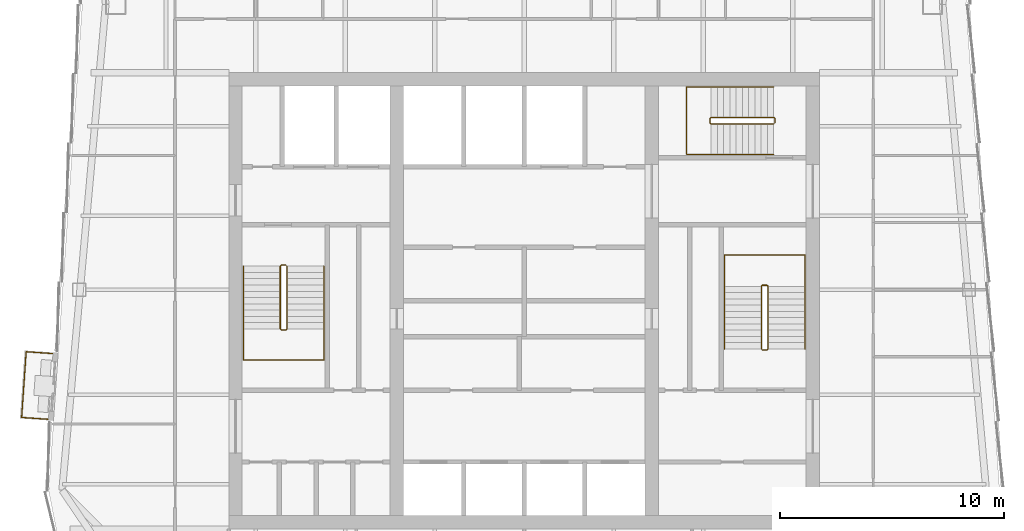
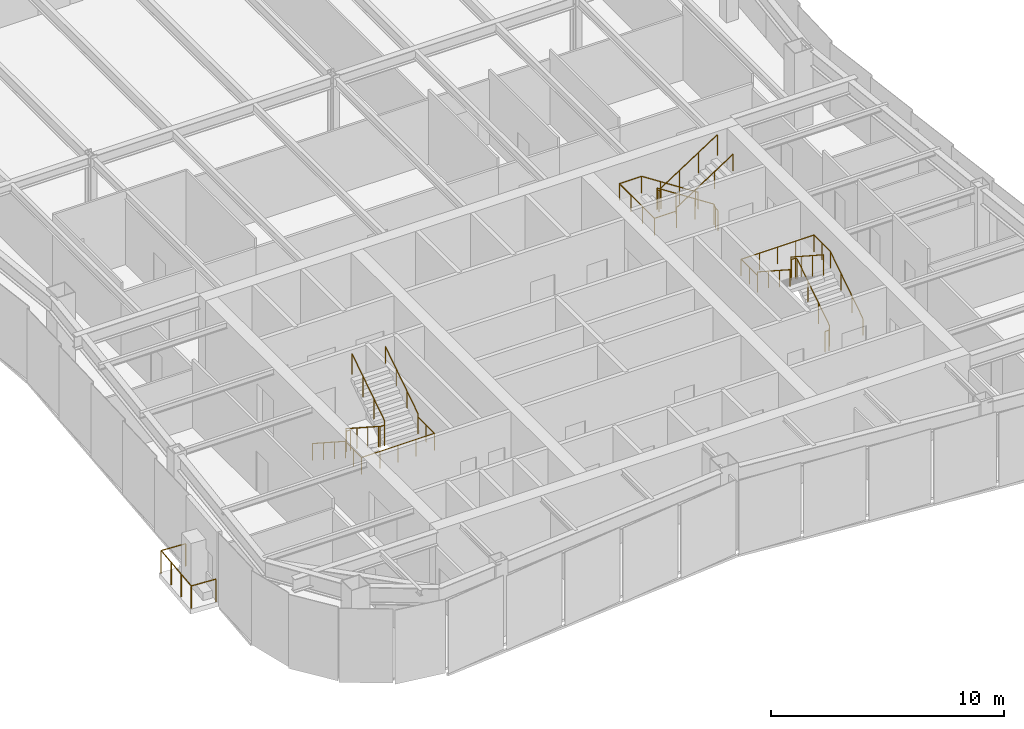
# One storey, part 9 of 10: 7 railings.
"""IFC4 building model written with IfcOpenShell, lengths in metres."""

from ifc_helpers import new_model, si_unit, direction, frame, origin, origin_2d, place, context, subcontext, project, spatial, circle, extrude, material, type_object, element, save


model = new_model("IFC4")

# Units and contexts
model_context = context("Model", 3, precision=1e-05, world=origin(), true_north=direction((0.0, 1.0)))
body_context = subcontext(model_context, "Body", "Model", "MODEL_VIEW")
ifc_project = project(units=[si_unit("LENGTHUNIT", "METRE"), si_unit("AREAUNIT", "SQUARE_METRE"), si_unit("VOLUMEUNIT", "CUBIC_METRE"), si_unit("PLANEANGLEUNIT", "RADIAN"), si_unit("MASSUNIT", "GRAM", prefix="KILO")], contexts=[model_context])

# Site, building, storey
site_placement = place(None, origin())
site = spatial("IfcSite", under=ifc_project, at=site_placement, CompositionType="ELEMENT")
building_placement = place(site_placement, origin())
building = spatial("IfcBuilding", under=site, at=building_placement, Name="Verdant Reach Tower", CompositionType="ELEMENT")
storey_placement = place(building_placement, frame((0.0, 0.0, 302.0)))
storey = spatial("IfcBuildingStorey", under=building, at=storey_placement, Name="L69", CompositionType="ELEMENT", Elevation=302.0)

# Railings
ifc_material_1 = material(Name="Stainless steel", Category="steel")
railing_type_1 = type_object("IfcRailingType", Name="CO-GUARD", PredefinedType="GUARDRAIL", material=ifc_material_1)
railing_1_placement = place(storey_placement, frame((-10.64990234375, 29.60009765625, 0.0)))
element("IfcRailing", 1, at=railing_1_placement, inside=storey, type_object=railing_type_1, Name="L69 ST-1 stair guard 1", PredefinedType="GUARDRAIL", context=body_context, shape_type="SweptSolid", body=[
    extrude(circle(Radius=0.02392578125, at=origin_2d()), frame((0.0, 0.0, 1.076171875), z_axis=(-1.0, 0.0, 0.0), x_axis=(0.0, -1.0, 0.0)), (0.0, 0.0, 1.0), 0.2001953125),
    extrude(circle(Radius=0.02392578125, at=origin_2d()), frame((-0.2001953125, 0.0, 1.076171875), z_axis=(-0.25526617399, -0.256517478764, 0.932222056972), x_axis=(0.708833529934, -0.705375805398, 0.0)), (0.0, 0.0, 1.0), 0.195068359375),
    extrude(circle(Radius=0.02392578125, at=origin_2d()), frame((-0.25, -0.050048828125, 1.2578125), z_axis=(0.0, -0.838705829183, 0.544584733623), x_axis=(1.0, 0.0, 0.0)), (0.0, 0.0, 1.0), 3.338623046875),
    extrude(circle(Radius=0.02392578125, at=origin_2d()), frame((-0.25, -2.85009765625, 3.076171875), z_axis=(0.705375805398, -0.708833529934, 0.0), x_axis=(0.708833529934, 0.705375805398, 0.0)), (0.0, 0.0, 1.0), 0.070556640625),
    extrude(circle(Radius=0.02392578125, at=origin_2d()), frame((-0.2001953125, -2.900146484375, 3.076171875), z_axis=(1.0, 0.0, 0.0), x_axis=(0.0, 1.0, 0.0)), (0.0, 0.0, 1.0), 0.2001953125),
    extrude(circle(Radius=0.02392578125, at=origin_2d()), frame((0.0, -2.900146484375, 3.076171875), z_axis=(0.25526617399, 0.256517478764, 0.932222056972), x_axis=(-0.708833529934, 0.705375805398, 0.0)), (0.0, 0.0, 1.0), 0.195068359375),
    extrude(circle(Radius=0.02392578125, at=origin_2d()), frame((0.0498046875, -2.85009765625, 3.2578125), z_axis=(0.0, 0.838705829183, 0.544584733623), x_axis=(-1.0, 0.0, 0.0)), (0.0, 0.0, 1.0), 3.338623046875),
    extrude(circle(Radius=0.02099609375, at=origin_2d()), origin(), (0.0, 0.0, 1.0), 1.052001953125),
    extrude(circle(Radius=0.02099609375, at=origin_2d()), frame((-0.2001953125, 0.0, 0.0)), (0.0, 0.0, 1.0), 1.052001953125),
    extrude(circle(Radius=0.02099609375, at=origin_2d()), frame((-0.25, -0.050048828125, 0.181884765625)), (0.0, 0.0, 1.0), 1.052001953125),
    extrude(circle(Radius=0.02099609375, at=origin_2d()), frame((-0.25, -0.9833984375, 0.787841796875)), (0.0, 0.0, 1.0), 1.052001953125),
    extrude(circle(Radius=0.02099609375, at=origin_2d()), frame((-0.25, -1.916748046875, 1.39404296875)), (0.0, 0.0, 1.0), 1.052001953125),
    extrude(circle(Radius=0.02099609375, at=origin_2d()), frame((-0.25, -2.85009765625, 2.0)), (0.0, 0.0, 1.0), 1.052001953125),
    extrude(circle(Radius=0.02099609375, at=origin_2d()), frame((-0.2001953125, -2.900146484375, 2.0)), (0.0, 0.0, 1.0), 1.052001953125),
    extrude(circle(Radius=0.02099609375, at=origin_2d()), frame((0.0, -2.900146484375, 2.0)), (0.0, 0.0, 1.0), 1.052001953125),
    extrude(circle(Radius=0.02099609375, at=origin_2d()), frame((0.0498046875, -2.85009765625, 2.181884765625)), (0.0, 0.0, 1.0), 1.052001953125),
    extrude(circle(Radius=0.02099609375, at=origin_2d()), frame((0.0498046875, -1.916748046875, 2.787841796875)), (0.0, 0.0, 1.0), 1.052001953125),
    extrude(circle(Radius=0.02099609375, at=origin_2d()), frame((0.0498046875, -0.9833984375, 3.39404296875)), (0.0, 0.0, 1.0), 1.052001953125),
    extrude(circle(Radius=0.02099609375, at=origin_2d()), frame((0.0498046875, -0.050048828125, 4.0)), (0.0, 0.0, 1.0), 1.052001953125),
])
railing_2_placement = place(storey_placement, frame((10.64990234375, 25.800048828125, 0.0)))
element("IfcRailing", 2, at=railing_2_placement, inside=storey, type_object=railing_type_1, Name="L69 ST-2 stair guard 1", PredefinedType="GUARDRAIL", context=body_context, shape_type="SweptSolid", body=[
    extrude(circle(Radius=0.02392578125, at=origin_2d()), frame((0.0, 0.0, 1.076171875), z_axis=(1.0, 0.0, 0.0), x_axis=(0.0, 1.0, 0.0)), (0.0, 0.0, 1.0), 0.2001953125),
    extrude(circle(Radius=0.02392578125, at=origin_2d()), frame((0.2001953125, 0.0, 1.076171875), z_axis=(0.25526617399, 0.256517478764, 0.932222056972), x_axis=(-0.708833529934, 0.705375805398, 0.0)), (0.0, 0.0, 1.0), 0.195068359375),
    extrude(circle(Radius=0.02392578125, at=origin_2d()), frame((0.25, 0.050048828125, 1.2578125), z_axis=(0.0, 0.83868413941, 0.544618136222), x_axis=(-1.0, 0.0, 0.0)), (0.0, 0.0, 1.0), 3.33837890625),
    extrude(circle(Radius=0.02392578125, at=origin_2d()), frame((0.25, 2.849853515625, 3.076171875), z_axis=(-0.705375805398, 0.708833529934, 0.0), x_axis=(-0.708833529934, -0.705375805398, 0.0)), (0.0, 0.0, 1.0), 0.070556640625),
    extrude(circle(Radius=0.02392578125, at=origin_2d()), frame((0.2001953125, 2.89990234375, 3.076171875), z_axis=(-1.0, 0.0, 0.0), x_axis=(0.0, -1.0, 0.0)), (0.0, 0.0, 1.0), 0.2001953125),
    extrude(circle(Radius=0.02392578125, at=origin_2d()), frame((0.0, 2.89990234375, 3.076171875), z_axis=(-0.25526617399, -0.256517478764, 0.932222056972), x_axis=(0.708833529934, -0.705375805398, 0.0)), (0.0, 0.0, 1.0), 0.195068359375),
    extrude(circle(Radius=0.02392578125, at=origin_2d()), frame((-0.0498046875, 2.849853515625, 3.2578125), z_axis=(0.0, -0.83868413941, 0.544618136222), x_axis=(1.0, 0.0, 0.0)), (0.0, 0.0, 1.0), 3.33837890625),
    extrude(circle(Radius=0.02099609375, at=origin_2d()), origin(), (0.0, 0.0, 1.0), 1.052001953125),
    extrude(circle(Radius=0.02099609375, at=origin_2d()), frame((0.2001953125, 0.0, 0.0)), (0.0, 0.0, 1.0), 1.052001953125),
    extrude(circle(Radius=0.02099609375, at=origin_2d()), frame((0.25, 0.050048828125, 0.181884765625)), (0.0, 0.0, 1.0), 1.052001953125),
    extrude(circle(Radius=0.02099609375, at=origin_2d()), frame((0.25, 0.9833984375, 0.787841796875)), (0.0, 0.0, 1.0), 1.052001953125),
    extrude(circle(Radius=0.02099609375, at=origin_2d()), frame((0.25, 1.91650390625, 1.39404296875)), (0.0, 0.0, 1.0), 1.052001953125),
    extrude(circle(Radius=0.02099609375, at=origin_2d()), frame((0.25, 2.849853515625, 2.0)), (0.0, 0.0, 1.0), 1.052001953125),
    extrude(circle(Radius=0.02099609375, at=origin_2d()), frame((0.2001953125, 2.89990234375, 2.0)), (0.0, 0.0, 1.0), 1.052001953125),
    extrude(circle(Radius=0.02099609375, at=origin_2d()), frame((0.0, 2.89990234375, 2.0)), (0.0, 0.0, 1.0), 1.052001953125),
    extrude(circle(Radius=0.02099609375, at=origin_2d()), frame((-0.0498046875, 2.849853515625, 2.181884765625)), (0.0, 0.0, 1.0), 1.052001953125),
    extrude(circle(Radius=0.02099609375, at=origin_2d()), frame((-0.0498046875, 1.91650390625, 2.787841796875)), (0.0, 0.0, 1.0), 1.052001953125),
    extrude(circle(Radius=0.02099609375, at=origin_2d()), frame((-0.0498046875, 0.9833984375, 3.39404296875)), (0.0, 0.0, 1.0), 1.052001953125),
    extrude(circle(Radius=0.02099609375, at=origin_2d()), frame((-0.0498046875, 0.050048828125, 4.0)), (0.0, 0.0, 1.0), 1.052001953125),
])
railing_3_placement = place(storey_placement, frame((11.199951171875, 35.949951171875, 0.0)))
element("IfcRailing", 3, at=railing_3_placement, inside=storey, type_object=railing_type_1, Name="L69 ST-3 stair guard 1", PredefinedType="GUARDRAIL", context=body_context, shape_type="SweptSolid", body=[
    extrude(circle(Radius=0.02392578125, at=origin_2d()), frame((0.0, 0.0, 1.076171875), z_axis=(0.0, 1.0, 0.0), x_axis=(-1.0, 0.0, 0.0)), (0.0, 0.0, 1.0), 0.199951171875),
    extrude(circle(Radius=0.02392578125, at=origin_2d()), frame((0.0, 0.199951171875, 1.076171875), z_axis=(-0.256435381639, 0.256435381639, 0.931923704005), x_axis=(-0.707106781187, -0.707106781187, 0.0)), (0.0, 0.0, 1.0), 0.195068359375),
    extrude(circle(Radius=0.02392578125, at=origin_2d()), frame((-0.050048828125, 0.25, 1.2578125), z_axis=(-0.83868413941, 0.0, 0.544618136222), x_axis=(0.0, -1.0, 0.0)), (0.0, 0.0, 1.0), 3.33837890625),
    extrude(circle(Radius=0.02392578125, at=origin_2d()), frame((-2.849853515625, 0.25, 3.076171875), z_axis=(-0.707106781187, -0.707106781187, 0.0), x_axis=(0.707106781187, -0.707106781187, 0.0)), (0.0, 0.0, 1.0), 0.07080078125),
    extrude(circle(Radius=0.02392578125, at=origin_2d()), frame((-2.89990234375, 0.199951171875, 3.076171875), z_axis=(0.0, -1.0, 0.0), x_axis=(1.0, 0.0, 0.0)), (0.0, 0.0, 1.0), 0.199951171875),
    extrude(circle(Radius=0.02392578125, at=origin_2d()), frame((-2.89990234375, 0.0, 3.076171875), z_axis=(0.256435381639, -0.256435381639, 0.931923704005), x_axis=(0.707106781187, 0.707106781187, 0.0)), (0.0, 0.0, 1.0), 0.195068359375),
    extrude(circle(Radius=0.02392578125, at=origin_2d()), frame((-2.849853515625, -0.050048828125, 3.2578125), z_axis=(0.83868413941, 0.0, 0.544618136222), x_axis=(0.0, 1.0, 0.0)), (0.0, 0.0, 1.0), 3.33837890625),
    extrude(circle(Radius=0.02099609375, at=origin_2d()), origin(), (0.0, 0.0, 1.0), 1.052001953125),
    extrude(circle(Radius=0.02099609375, at=origin_2d()), frame((0.0, 0.199951171875, 0.0)), (0.0, 0.0, 1.0), 1.052001953125),
    extrude(circle(Radius=0.02099609375, at=origin_2d()), frame((-0.050048828125, 0.25, 0.181884765625)), (0.0, 0.0, 1.0), 1.052001953125),
    extrude(circle(Radius=0.02099609375, at=origin_2d()), frame((-0.9833984375, 0.25, 0.787841796875)), (0.0, 0.0, 1.0), 1.052001953125),
    extrude(circle(Radius=0.02099609375, at=origin_2d()), frame((-1.91650390625, 0.25, 1.39404296875)), (0.0, 0.0, 1.0), 1.052001953125),
    extrude(circle(Radius=0.02099609375, at=origin_2d()), frame((-2.849853515625, 0.25, 2.0)), (0.0, 0.0, 1.0), 1.052001953125),
    extrude(circle(Radius=0.02099609375, at=origin_2d()), frame((-2.89990234375, 0.199951171875, 2.0)), (0.0, 0.0, 1.0), 1.052001953125),
    extrude(circle(Radius=0.02099609375, at=origin_2d()), frame((-2.89990234375, 0.0, 2.0)), (0.0, 0.0, 1.0), 1.052001953125),
    extrude(circle(Radius=0.02099609375, at=origin_2d()), frame((-2.849853515625, -0.050048828125, 2.181884765625)), (0.0, 0.0, 1.0), 1.052001953125),
    extrude(circle(Radius=0.02099609375, at=origin_2d()), frame((-1.91650390625, -0.050048828125, 2.787841796875)), (0.0, 0.0, 1.0), 1.052001953125),
    extrude(circle(Radius=0.02099609375, at=origin_2d()), frame((-0.9833984375, -0.050048828125, 3.39404296875)), (0.0, 0.0, 1.0), 1.052001953125),
    extrude(circle(Radius=0.02099609375, at=origin_2d()), frame((-0.050048828125, -0.050048828125, 4.0)), (0.0, 0.0, 1.0), 1.052001953125),
])
railing_type_2 = type_object("IfcRailingType", Name="CO-HANDRAIL", PredefinedType="HANDRAIL", material=ifc_material_1)
railing_4_placement = place(storey_placement, frame((-12.550048828125, 29.550048828125, 0.181884765625)))
element("IfcRailing", 4, at=railing_4_placement, inside=storey, type_object=railing_type_2, Name="L69 ST-1 stair handrail 1", PredefinedType="HANDRAIL", context=body_context, shape_type="SweptSolid", body=[
    extrude(circle(Radius=0.02392578125, at=origin_2d()), frame((0.0, 0.0, 0.8759765625), z_axis=(0.0, -0.838705829183, 0.544584733623), x_axis=(1.0, 0.0, 0.0)), (0.0, 0.0, 1.0), 3.338623046875),
    extrude(circle(Radius=0.02392578125, at=origin_2d()), frame((0.0, -2.800048828125, 2.69384765625), z_axis=(0.0, -1.0, 0.0), x_axis=(1.0, 0.0, 0.0)), (0.0, 0.0, 1.0), 1.39990234375),
    extrude(circle(Radius=0.02392578125, at=origin_2d()), frame((0.0, -4.199951171875, 2.69384765625), z_axis=(1.0, 0.0, 0.0), x_axis=(0.0, 1.0, 0.0)), (0.0, 0.0, 1.0), 3.60009765625),
    extrude(circle(Radius=0.02392578125, at=origin_2d()), frame((3.60009765625, -4.199951171875, 2.69384765625), z_axis=(0.0, 1.0, 0.0), x_axis=(-1.0, 0.0, 0.0)), (0.0, 0.0, 1.0), 1.39990234375),
    extrude(circle(Radius=0.02392578125, at=origin_2d()), frame((3.60009765625, -2.800048828125, 2.69384765625), z_axis=(0.0, 0.0, 1.0), x_axis=(1.0, 0.0, 0.0)), (0.0, 0.0, 1.0), 0.181884765625),
    extrude(circle(Radius=0.02392578125, at=origin_2d()), frame((3.60009765625, -2.800048828125, 2.8759765625), z_axis=(0.0, 0.838705829183, 0.544584733623), x_axis=(-1.0, 0.0, 0.0)), (0.0, 0.0, 1.0), 3.338623046875),
    extrude(circle(Radius=0.02099609375, at=origin_2d()), origin(), (0.0, 0.0, 1.0), 0.851806640625),
    extrude(circle(Radius=0.02099609375, at=origin_2d()), frame((0.0, -0.933349609375, 0.60595703125)), (0.0, 0.0, 1.0), 0.851806640625),
    extrude(circle(Radius=0.02099609375, at=origin_2d()), frame((0.0, -1.86669921875, 1.212158203125)), (0.0, 0.0, 1.0), 0.851806640625),
    extrude(circle(Radius=0.02099609375, at=origin_2d()), frame((0.0, -2.800048828125, 1.818115234375)), (0.0, 0.0, 1.0), 0.851806640625),
    extrude(circle(Radius=0.02099609375, at=origin_2d()), frame((0.0, -3.5, 1.818115234375)), (0.0, 0.0, 1.0), 0.851806640625),
    extrude(circle(Radius=0.02099609375, at=origin_2d()), frame((0.0, -4.199951171875, 1.818115234375)), (0.0, 0.0, 1.0), 0.851806640625),
    extrude(circle(Radius=0.02099609375, at=origin_2d()), frame((0.89990234375, -4.199951171875, 1.818115234375)), (0.0, 0.0, 1.0), 0.851806640625),
    extrude(circle(Radius=0.02099609375, at=origin_2d()), frame((1.800048828125, -4.199951171875, 1.818115234375)), (0.0, 0.0, 1.0), 0.851806640625),
    extrude(circle(Radius=0.02099609375, at=origin_2d()), frame((2.7001953125, -4.199951171875, 1.818115234375)), (0.0, 0.0, 1.0), 0.851806640625),
    extrude(circle(Radius=0.02099609375, at=origin_2d()), frame((3.60009765625, -4.199951171875, 1.818115234375)), (0.0, 0.0, 1.0), 0.851806640625),
    extrude(circle(Radius=0.02099609375, at=origin_2d()), frame((3.60009765625, -3.5, 1.818115234375)), (0.0, 0.0, 1.0), 0.851806640625),
    extrude(circle(Radius=0.02099609375, at=origin_2d()), frame((3.60009765625, -2.800048828125, 1.818115234375)), (0.0, 0.0, 1.0), 0.851806640625),
    extrude(circle(Radius=0.02099609375, at=origin_2d()), frame((3.60009765625, -2.800048828125, 2.0)), (0.0, 0.0, 1.0), 0.851806640625),
    extrude(circle(Radius=0.02099609375, at=origin_2d()), frame((3.60009765625, -1.86669921875, 2.60595703125)), (0.0, 0.0, 1.0), 0.851806640625),
    extrude(circle(Radius=0.02099609375, at=origin_2d()), frame((3.60009765625, -0.933349609375, 3.212158203125)), (0.0, 0.0, 1.0), 0.851806640625),
    extrude(circle(Radius=0.02099609375, at=origin_2d()), frame((3.60009765625, 0.0, 3.818115234375)), (0.0, 0.0, 1.0), 0.851806640625),
])
railing_5_placement = place(storey_placement, frame((12.550048828125, 25.85009765625, 0.181884765625)))
element("IfcRailing", 5, at=railing_5_placement, inside=storey, type_object=railing_type_2, Name="L69 ST-2 stair handrail 1", PredefinedType="HANDRAIL", context=body_context, shape_type="SweptSolid", body=[
    extrude(circle(Radius=0.02392578125, at=origin_2d()), frame((0.0, 0.0, 0.8759765625), z_axis=(0.0, 0.83868413941, 0.544618136222), x_axis=(-1.0, 0.0, 0.0)), (0.0, 0.0, 1.0), 3.33837890625),
    extrude(circle(Radius=0.02392578125, at=origin_2d()), frame((0.0, 2.7998046875, 2.69384765625), z_axis=(0.0, 1.0, 0.0), x_axis=(-1.0, 0.0, 0.0)), (0.0, 0.0, 1.0), 1.400146484375),
    extrude(circle(Radius=0.02392578125, at=origin_2d()), frame((0.0, 4.199951171875, 2.69384765625), z_axis=(-1.0, 0.0, 0.0), x_axis=(0.0, -1.0, 0.0)), (0.0, 0.0, 1.0), 3.60009765625),
    extrude(circle(Radius=0.02392578125, at=origin_2d()), frame((-3.60009765625, 4.199951171875, 2.69384765625), z_axis=(0.0, -1.0, 0.0), x_axis=(1.0, 0.0, 0.0)), (0.0, 0.0, 1.0), 1.400146484375),
    extrude(circle(Radius=0.02392578125, at=origin_2d()), frame((-3.60009765625, 2.7998046875, 2.69384765625), z_axis=(0.0, 0.0, 1.0), x_axis=(1.0, 0.0, 0.0)), (0.0, 0.0, 1.0), 0.181884765625),
    extrude(circle(Radius=0.02392578125, at=origin_2d()), frame((-3.60009765625, 2.7998046875, 2.8759765625), z_axis=(0.0, -0.83868413941, 0.544618136222), x_axis=(1.0, 0.0, 0.0)), (0.0, 0.0, 1.0), 3.33837890625),
    extrude(circle(Radius=0.02099609375, at=origin_2d()), origin(), (0.0, 0.0, 1.0), 0.851806640625),
    extrude(circle(Radius=0.02099609375, at=origin_2d()), frame((0.0, 0.933349609375, 0.60595703125)), (0.0, 0.0, 1.0), 0.851806640625),
    extrude(circle(Radius=0.02099609375, at=origin_2d()), frame((0.0, 1.866455078125, 1.212158203125)), (0.0, 0.0, 1.0), 0.851806640625),
    extrude(circle(Radius=0.02099609375, at=origin_2d()), frame((0.0, 2.7998046875, 1.818115234375)), (0.0, 0.0, 1.0), 0.851806640625),
    extrude(circle(Radius=0.02099609375, at=origin_2d()), frame((0.0, 3.5, 1.818115234375)), (0.0, 0.0, 1.0), 0.851806640625),
    extrude(circle(Radius=0.02099609375, at=origin_2d()), frame((0.0, 4.199951171875, 1.818115234375)), (0.0, 0.0, 1.0), 0.851806640625),
    extrude(circle(Radius=0.02099609375, at=origin_2d()), frame((-0.89990234375, 4.199951171875, 1.818115234375)), (0.0, 0.0, 1.0), 0.851806640625),
    extrude(circle(Radius=0.02099609375, at=origin_2d()), frame((-1.800048828125, 4.199951171875, 1.818115234375)), (0.0, 0.0, 1.0), 0.851806640625),
    extrude(circle(Radius=0.02099609375, at=origin_2d()), frame((-2.7001953125, 4.199951171875, 1.818115234375)), (0.0, 0.0, 1.0), 0.851806640625),
    extrude(circle(Radius=0.02099609375, at=origin_2d()), frame((-3.60009765625, 4.199951171875, 1.818115234375)), (0.0, 0.0, 1.0), 0.851806640625),
    extrude(circle(Radius=0.02099609375, at=origin_2d()), frame((-3.60009765625, 3.5, 1.818115234375)), (0.0, 0.0, 1.0), 0.851806640625),
    extrude(circle(Radius=0.02099609375, at=origin_2d()), frame((-3.60009765625, 2.7998046875, 1.818115234375)), (0.0, 0.0, 1.0), 0.851806640625),
    extrude(circle(Radius=0.02099609375, at=origin_2d()), frame((-3.60009765625, 2.7998046875, 2.0)), (0.0, 0.0, 1.0), 0.851806640625),
    extrude(circle(Radius=0.02099609375, at=origin_2d()), frame((-3.60009765625, 1.866455078125, 2.60595703125)), (0.0, 0.0, 1.0), 0.851806640625),
    extrude(circle(Radius=0.02099609375, at=origin_2d()), frame((-3.60009765625, 0.933349609375, 3.212158203125)), (0.0, 0.0, 1.0), 0.851806640625),
    extrude(circle(Radius=0.02099609375, at=origin_2d()), frame((-3.60009765625, 0.0, 3.818115234375)), (0.0, 0.0, 1.0), 0.851806640625),
])
railing_6_placement = place(storey_placement, frame((11.14990234375, 37.550048828125, 0.181884765625)))
element("IfcRailing", 6, at=railing_6_placement, inside=storey, type_object=railing_type_2, Name="L69 ST-3 stair handrail 1", PredefinedType="HANDRAIL", context=body_context, shape_type="SweptSolid", body=[
    extrude(circle(Radius=0.02392578125, at=origin_2d()), frame((0.0, 0.0, 0.8759765625), z_axis=(-0.83868413941, 0.0, 0.544618136222), x_axis=(0.0, -1.0, 0.0)), (0.0, 0.0, 1.0), 3.33837890625),
    extrude(circle(Radius=0.02392578125, at=origin_2d()), frame((-2.7998046875, 0.0, 2.69384765625), z_axis=(-1.0, 0.0, 0.0), x_axis=(0.0, -1.0, 0.0)), (0.0, 0.0, 1.0), 1.10009765625),
    extrude(circle(Radius=0.02392578125, at=origin_2d()), frame((-3.89990234375, 0.0, 2.69384765625), z_axis=(0.0, -1.0, 0.0), x_axis=(1.0, 0.0, 0.0)), (0.0, 0.0, 1.0), 3.0),
    extrude(circle(Radius=0.02392578125, at=origin_2d()), frame((-3.89990234375, -3.0, 2.69384765625), z_axis=(1.0, 0.0, 0.0), x_axis=(0.0, 1.0, 0.0)), (0.0, 0.0, 1.0), 1.10009765625),
    extrude(circle(Radius=0.02392578125, at=origin_2d()), frame((-2.7998046875, -3.0, 2.69384765625), z_axis=(0.0, 0.0, 1.0), x_axis=(1.0, 0.0, 0.0)), (0.0, 0.0, 1.0), 0.181884765625),
    extrude(circle(Radius=0.02392578125, at=origin_2d()), frame((-2.7998046875, -3.0, 2.8759765625), z_axis=(0.83868413941, 0.0, 0.544618136222), x_axis=(0.0, 1.0, 0.0)), (0.0, 0.0, 1.0), 3.33837890625),
    extrude(circle(Radius=0.02099609375, at=origin_2d()), origin(), (0.0, 0.0, 1.0), 0.851806640625),
    extrude(circle(Radius=0.02099609375, at=origin_2d()), frame((-0.933349609375, 0.0, 0.60595703125)), (0.0, 0.0, 1.0), 0.851806640625),
    extrude(circle(Radius=0.02099609375, at=origin_2d()), frame((-1.866455078125, 0.0, 1.212158203125)), (0.0, 0.0, 1.0), 0.851806640625),
    extrude(circle(Radius=0.02099609375, at=origin_2d()), frame((-2.7998046875, 0.0, 1.818115234375)), (0.0, 0.0, 1.0), 0.851806640625),
    extrude(circle(Radius=0.02099609375, at=origin_2d()), frame((-3.89990234375, 0.0, 1.818115234375)), (0.0, 0.0, 1.0), 0.851806640625),
    extrude(circle(Radius=0.02099609375, at=origin_2d()), frame((-3.89990234375, -1.0, 1.818115234375)), (0.0, 0.0, 1.0), 0.851806640625),
    extrude(circle(Radius=0.02099609375, at=origin_2d()), frame((-3.89990234375, -2.0, 1.818115234375)), (0.0, 0.0, 1.0), 0.851806640625),
    extrude(circle(Radius=0.02099609375, at=origin_2d()), frame((-3.89990234375, -3.0, 1.818115234375)), (0.0, 0.0, 1.0), 0.851806640625),
    extrude(circle(Radius=0.02099609375, at=origin_2d()), frame((-2.7998046875, -3.0, 1.818115234375)), (0.0, 0.0, 1.0), 0.851806640625),
    extrude(circle(Radius=0.02099609375, at=origin_2d()), frame((-2.7998046875, -3.0, 2.0)), (0.0, 0.0, 1.0), 0.851806640625),
    extrude(circle(Radius=0.02099609375, at=origin_2d()), frame((-1.866455078125, -3.0, 2.60595703125)), (0.0, 0.0, 1.0), 0.851806640625),
    extrude(circle(Radius=0.02099609375, at=origin_2d()), frame((-0.933349609375, -3.0, 3.212158203125)), (0.0, 0.0, 1.0), 0.851806640625),
    extrude(circle(Radius=0.02099609375, at=origin_2d()), frame((0.0, -3.0, 3.818115234375)), (0.0, 0.0, 1.0), 0.851806640625),
])
ifc_material_2 = material(Name="Stainless steel and laminated glass balustrade", Category="steel")
railing_type_3 = type_object("IfcRailingType", Name="EN-RAILING BALCONY", PredefinedType="GUARDRAIL", material=ifc_material_2)
railing_7_placement = place(storey_placement, frame((-21.086669921875, 25.6474609375, 0.0)))
element("IfcRailing", 7, at=railing_7_placement, inside=storey, type_object=railing_type_3, Name="Balcony guard 1, L69", PredefinedType="GUARDRAIL", context=body_context, shape_type="SweptSolid", body=[
    extrude(circle(Radius=0.02490234375, at=origin_2d()), frame((0.0, 0.0, 1.1748046875), z_axis=(-0.997640688741, 0.068651701861, 0.0), x_axis=(-0.068651701861, -0.997640688741, 0.0)), (0.0, 0.0, 1.0), 1.169921875),
    extrude(circle(Radius=0.02490234375, at=origin_2d()), frame((-1.167236328125, 0.080322265625, 1.1748046875), z_axis=(-0.068819165156, -0.997629150791, 0.0), x_axis=(0.997629150791, -0.068819165156, 0.0)), (0.0, 0.0, 1.0), 2.944580078125),
    extrude(circle(Radius=0.02490234375, at=origin_2d()), frame((-1.369873046875, -2.857177734375, 1.1748046875), z_axis=(0.997626375729, -0.068859381717, 0.0), x_axis=(0.068859381717, 0.997626375729, 0.0)), (0.0, 0.0, 1.0), 1.169921875),
    extrude(circle(Radius=0.02490234375, at=origin_2d()), origin(), (0.0, 0.0, 1.0), 1.14990234375),
    extrude(circle(Radius=0.02490234375, at=origin_2d()), frame((-1.167236328125, 0.080322265625, 0.0)), (0.0, 0.0, 1.0), 1.14990234375),
    extrude(circle(Radius=0.02490234375, at=origin_2d()), frame((-1.23486328125, -0.89892578125, 0.0)), (0.0, 0.0, 1.0), 1.14990234375),
    extrude(circle(Radius=0.02490234375, at=origin_2d()), frame((-1.30224609375, -1.8779296875, 0.0)), (0.0, 0.0, 1.0), 1.14990234375),
    extrude(circle(Radius=0.02490234375, at=origin_2d()), frame((-1.369873046875, -2.857177734375, 0.0)), (0.0, 0.0, 1.0), 1.14990234375),
    extrude(circle(Radius=0.02490234375, at=origin_2d()), frame((-0.20263671875, -2.937744140625, 0.0)), (0.0, 0.0, 1.0), 1.14990234375),
])

save(model, "model.ifc")
